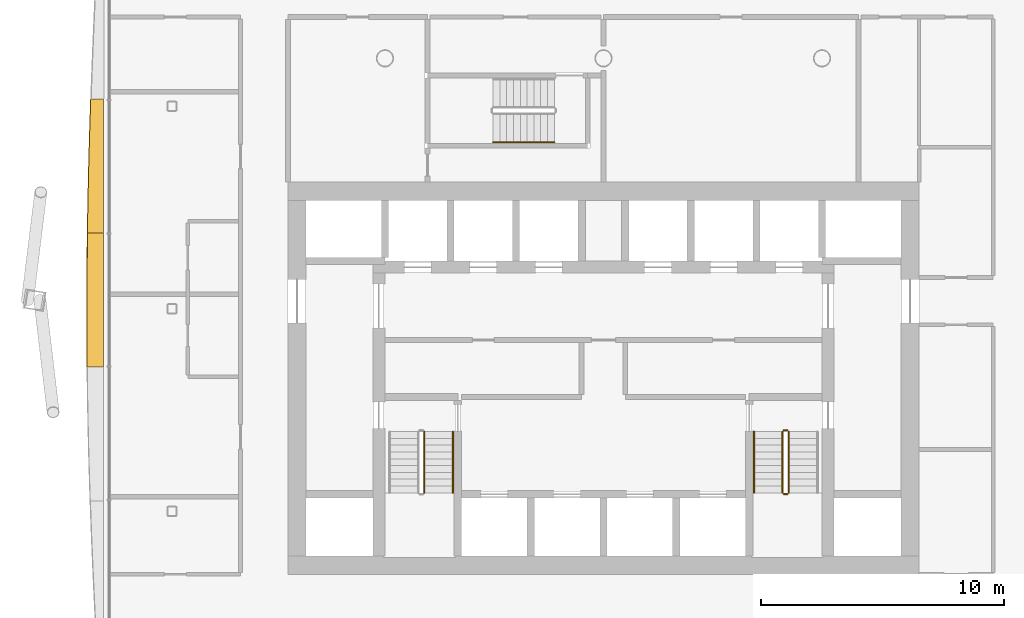
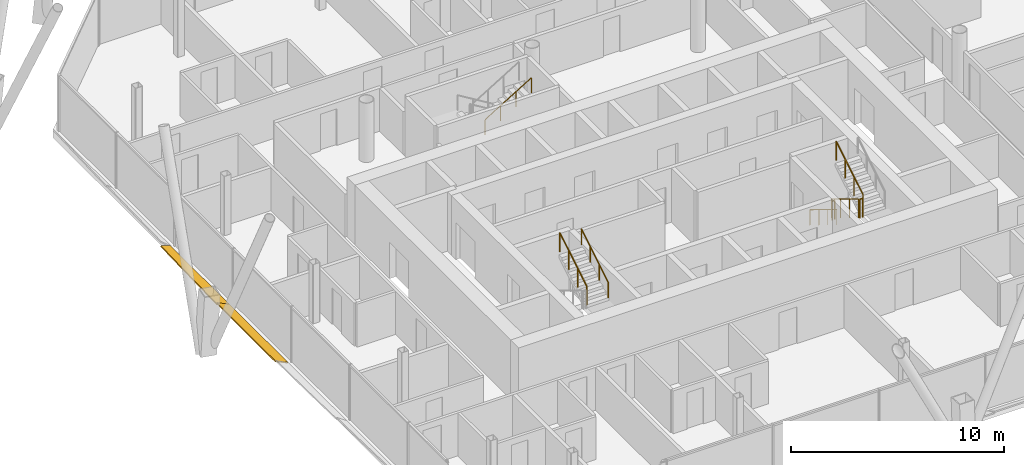
# One storey, part 19 of 22: 8 railings, 2 shading devices.
"""IFC4 building model written with IfcOpenShell, lengths in metres."""

from ifc_helpers import new_model, si_unit, direction, frame, origin, origin_2d, place, context, subcontext, project, spatial, polyline, circle, outline, extrude, material, layer, layer_set, type_object, element, save


model = new_model("IFC4")

# Units and contexts
model_context = context("Model", 3, precision=1e-05, world=origin(), true_north=direction((0.0, 1.0)))
body_context = subcontext(model_context, "Body", "Model", "MODEL_VIEW")
ifc_project = project(units=[si_unit("LENGTHUNIT", "METRE"), si_unit("AREAUNIT", "SQUARE_METRE"), si_unit("VOLUMEUNIT", "CUBIC_METRE"), si_unit("PLANEANGLEUNIT", "RADIAN"), si_unit("MASSUNIT", "GRAM", prefix="KILO")], contexts=[model_context])

# Site, building, storey
site_placement = place(None, origin())
site = spatial("IfcSite", under=ifc_project, at=site_placement, CompositionType="ELEMENT")
building_placement = place(site_placement, origin())
building = spatial("IfcBuilding", under=site, at=building_placement, Name="Tskaro Facet Tower", CompositionType="ELEMENT")
storey_placement = place(building_placement, frame((0.0, 0.0, 121.5)))
storey = spatial("IfcBuildingStorey", under=building, at=storey_placement, Name="L28", CompositionType="ELEMENT", Elevation=121.5)

# Shading devices
ifc_material_1 = material(Name="Bronze anodised aluminium 6063-T6", Category="aluminium")
ifc_layer = layer(ifc_material_1, 0.06005859375, Name="Bronze anodised aluminium 6063-T6")
ifc_layer_set = layer_set([ifc_layer], Name="Bronze anodised aluminium 6063-T6")
shading_device_type = type_object("IfcShadingDeviceType", Name="Bronze sun blade (FN1)", PredefinedType="USERDEFINED", material=ifc_layer_set)
shading_device_1_placement = place(storey_placement, frame((-20.596435546875, 7.32080078125, 0.056396484375), z_axis=(0.341941292947, 1.18777e-06, 0.93972131623), x_axis=(4.06148e-07, -0.999999999999, 1.116173e-06)))
element("IfcShadingDevice", 1, at=shading_device_1_placement, inside=storey, type_object=shading_device_type, Name="Fin blade west 3", ObjectType="FIN", PredefinedType="USERDEFINED", context=body_context, shape_type="SweptSolid", body=[
    extrude(outline(polyline([(0.0, 0.0), (5.518310546871107, 0.0), (5.518310546794855, -0.6998807844269213), (4.828369140647363, -0.6882209895251834), (4.138671875001461, -0.6747047802942332), (3.4489746093313065, -0.6591027325846004), (2.759277343810246, -0.6417277523067285), (2.0693359375407763, -0.6224963576996445), (1.379638671872054, -0.6011791246138778), (0.6899414062532679, -0.5783183831093427), (-1.1392706266802058e-10, -0.5536012272755952), (0.0, 0.0)])), origin(), (0.0, 0.0, -1.0), 0.06005859375),
])
shading_device_2_placement = place(storey_placement, frame((-20.591552734375, 1.802490234375, 0.054443359375), z_axis=(0.422529442961, 6.1548e-07, 0.906349198615), x_axis=(2.60059e-07, -1.0, 5.5784e-07)))
element("IfcShadingDevice", 2, at=shading_device_2_placement, inside=storey, type_object=shading_device_type, Name="Fin blade west 4", ObjectType="FIN", PredefinedType="USERDEFINED", context=body_context, shape_type="SweptSolid", body=[
    extrude(outline(polyline([(0.0, 0.0), (5.518066406248955, 2.921240032019302e-22), (5.518066406264926, -0.7418489984739198), (4.828369140614381, -0.7482943609346973), (4.138427734292788, -0.7520111737858651), (3.454345703197529, -0.7532057502319943), (3.44873046882253, -0.7532057502319943), (2.759033203179241, -0.7521143303881505), (2.0693359374991136, -0.7488400708566191), (1.379394531220638, -0.7431616949775818), (0.6896972656030241, -0.7356249126729606), (1.206229253812815e-11, -0.7256840140208334), (0.0, 0.0)])), origin(), (0.0, 0.0, -1.0), 0.06005859375),
])

# Railings
ifc_material_2 = material(Name="Stainless steel", Category="steel")
railing_type_1 = type_object("IfcRailingType", Name="RL-GUARD-1100", PredefinedType="GUARDRAIL", material=ifc_material_2)
railing_1_placement = place(storey_placement, frame((-7.375, -8.89501953125, 1.8701171875)))
element("IfcRailing", 3, at=railing_1_placement, inside=storey, type_object=railing_type_1, Name="L28 ST-1 stair guard 3", PredefinedType="GUARDRAIL", context=body_context, shape_type="SweptSolid", body=[
    extrude(circle(Radius=0.02392578125, at=origin_2d()), frame((0.0, 0.0, 1.076171875), z_axis=(0.0, 0.854821627497, 0.518921945155), x_axis=(-1.0, 0.0, 0.0)), (0.0, 0.0, 1.0), 2.947998046875),
    extrude(circle(Radius=0.02099609375, at=origin_2d()), origin(), (0.0, 0.0, 1.0), 1.052001953125),
    extrude(circle(Radius=0.02099609375, at=origin_2d()), frame((0.0, 0.840087890625, 0.510009765625)), (0.0, 0.0, 1.0), 1.052001953125),
    extrude(circle(Radius=0.02099609375, at=origin_2d()), frame((0.0, 1.679931640625, 1.019775390625)), (0.0, 0.0, 1.0), 1.052001953125),
    extrude(circle(Radius=0.02099609375, at=origin_2d()), frame((0.0, 2.52001953125, 1.52978515625)), (0.0, 0.0, 1.0), 1.052001953125),
])
railing_2_placement = place(storey_placement, frame((7.375, -6.375, 0.169921875)))
element("IfcRailing", 4, at=railing_2_placement, inside=storey, type_object=railing_type_1, Name="L28 ST-2 stair guard 1", PredefinedType="GUARDRAIL", context=body_context, shape_type="SweptSolid", body=[
    extrude(circle(Radius=0.02392578125, at=origin_2d()), frame((0.0, 0.0, 1.076171875), z_axis=(0.0, -0.85478489116, 0.518982456201), x_axis=(1.0, 0.0, 0.0)), (0.0, 0.0, 1.0), 2.9482421875),
    extrude(circle(Radius=0.02099609375, at=origin_2d()), origin(), (0.0, 0.0, 1.0), 1.052001953125),
    extrude(circle(Radius=0.02099609375, at=origin_2d()), frame((0.0, -0.840087890625, 0.510009765625)), (0.0, 0.0, 1.0), 1.052001953125),
    extrude(circle(Radius=0.02099609375, at=origin_2d()), frame((0.0, -1.679931640625, 1.02001953125)), (0.0, 0.0, 1.0), 1.052001953125),
    extrude(circle(Radius=0.02099609375, at=origin_2d()), frame((0.0, -2.52001953125, 1.530029296875)), (0.0, 0.0, 1.0), 1.052001953125),
])
railing_3_placement = place(storey_placement, frame((7.425048828125, -8.945068359375, 1.699951171875)))
element("IfcRailing", 5, at=railing_3_placement, inside=storey, type_object=railing_type_1, Name="L28 ST-2 stair guard 2", PredefinedType="GUARDRAIL", context=body_context, shape_type="SweptSolid", body=[
    extrude(circle(Radius=0.02392578125, at=origin_2d()), frame((0.0, 0.0, 1.076171875), z_axis=(1.0, 0.0, 0.0), x_axis=(0.0, 1.0, 0.0)), (0.0, 0.0, 1.0), 0.14990234375),
    extrude(circle(Radius=0.02099609375, at=origin_2d()), origin(), (0.0, 0.0, 1.0), 1.052001953125),
    extrude(circle(Radius=0.02099609375, at=origin_2d()), frame((0.14990234375, 0.0, 0.0)), (0.0, 0.0, 1.0), 1.052001953125),
])
railing_4_placement = place(storey_placement, frame((7.625, -8.89501953125, 1.8701171875)))
element("IfcRailing", 6, at=railing_4_placement, inside=storey, type_object=railing_type_1, Name="L28 ST-2 stair guard 3", PredefinedType="GUARDRAIL", context=body_context, shape_type="SweptSolid", body=[
    extrude(circle(Radius=0.02392578125, at=origin_2d()), frame((0.0, 0.0, 1.076171875), z_axis=(0.0, 0.854821627497, 0.518921945155), x_axis=(-1.0, 0.0, 0.0)), (0.0, 0.0, 1.0), 2.947998046875),
    extrude(circle(Radius=0.02099609375, at=origin_2d()), origin(), (0.0, 0.0, 1.0), 1.052001953125),
    extrude(circle(Radius=0.02099609375, at=origin_2d()), frame((0.0, 0.840087890625, 0.510009765625)), (0.0, 0.0, 1.0), 1.052001953125),
    extrude(circle(Radius=0.02099609375, at=origin_2d()), frame((0.0, 1.679931640625, 1.019775390625)), (0.0, 0.0, 1.0), 1.052001953125),
    extrude(circle(Radius=0.02099609375, at=origin_2d()), frame((0.0, 2.52001953125, 1.52978515625)), (0.0, 0.0, 1.0), 1.052001953125),
])
railing_5_placement = place(storey_placement, frame((7.425048828125, -6.324951171875, 0.0)))
element("IfcRailing", 7, at=railing_5_placement, inside=storey, type_object=railing_type_1, Name="L28 ST-2 stair guard 4", PredefinedType="GUARDRAIL", context=body_context, shape_type="SweptSolid", body=[
    extrude(circle(Radius=0.02392578125, at=origin_2d()), frame((0.0, 0.0, 1.076171875), z_axis=(1.0, 0.0, 0.0), x_axis=(0.0, 1.0, 0.0)), (0.0, 0.0, 1.0), 0.14990234375),
    extrude(circle(Radius=0.02099609375, at=origin_2d()), origin(), (0.0, 0.0, 1.0), 1.052001953125),
    extrude(circle(Radius=0.02099609375, at=origin_2d()), frame((0.14990234375, 0.0, 0.0)), (0.0, 0.0, 1.0), 1.052001953125),
])
railing_type_2 = type_object("IfcRailingType", Name="RL-HANDRAIL-900", PredefinedType="HANDRAIL", material=ifc_material_2)
railing_6_placement = place(storey_placement, frame((-6.199951171875, -8.89501953125, 1.8701171875)))
element("IfcRailing", 8, at=railing_6_placement, inside=storey, type_object=railing_type_2, Name="L28 ST-1 stair handrail 2", PredefinedType="HANDRAIL", context=body_context, shape_type="SweptSolid", body=[
    extrude(circle(Radius=0.02392578125, at=origin_2d()), frame((0.0, 0.0, 0.8759765625), z_axis=(0.0, 0.854821627497, 0.518921945155), x_axis=(-1.0, 0.0, 0.0)), (0.0, 0.0, 1.0), 2.947998046875),
    extrude(circle(Radius=0.02099609375, at=origin_2d()), origin(), (0.0, 0.0, 1.0), 0.851806640625),
    extrude(circle(Radius=0.02099609375, at=origin_2d()), frame((0.0, 0.840087890625, 0.510009765625)), (0.0, 0.0, 1.0), 0.851806640625),
    extrude(circle(Radius=0.02099609375, at=origin_2d()), frame((0.0, 1.679931640625, 1.019775390625)), (0.0, 0.0, 1.0), 0.851806640625),
    extrude(circle(Radius=0.02099609375, at=origin_2d()), frame((0.0, 2.52001953125, 1.52978515625)), (0.0, 0.0, 1.0), 0.851806640625),
])
railing_7_placement = place(storey_placement, frame((6.199951171875, -6.375, 0.169921875)))
element("IfcRailing", 9, at=railing_7_placement, inside=storey, type_object=railing_type_2, Name="L28 ST-2 stair handrail 1", PredefinedType="HANDRAIL", context=body_context, shape_type="SweptSolid", body=[
    extrude(circle(Radius=0.02392578125, at=origin_2d()), frame((0.0, 0.0, 0.8759765625), z_axis=(0.0, -0.85478489116, 0.518982456201), x_axis=(1.0, 0.0, 0.0)), (0.0, 0.0, 1.0), 2.9482421875),
    extrude(circle(Radius=0.02099609375, at=origin_2d()), origin(), (0.0, 0.0, 1.0), 0.851806640625),
    extrude(circle(Radius=0.02099609375, at=origin_2d()), frame((0.0, -0.840087890625, 0.510009765625)), (0.0, 0.0, 1.0), 0.851806640625),
    extrude(circle(Radius=0.02099609375, at=origin_2d()), frame((0.0, -1.679931640625, 1.02001953125)), (0.0, 0.0, 1.0), 0.851806640625),
    extrude(circle(Radius=0.02099609375, at=origin_2d()), frame((0.0, -2.52001953125, 1.530029296875)), (0.0, 0.0, 1.0), 0.851806640625),
])
railing_8_placement = place(storey_placement, frame((-4.544921875, 5.550048828125, 1.8701171875)))
element("IfcRailing", 10, at=railing_8_placement, inside=storey, type_object=railing_type_2, Name="L28 ST-3 stair handrail 2", PredefinedType="HANDRAIL", context=body_context, shape_type="SweptSolid", body=[
    extrude(circle(Radius=0.02392578125, at=origin_2d()), frame((0.0, 0.0, 0.8759765625), z_axis=(0.854821627497, 0.0, 0.518921945155), x_axis=(0.0, 1.0, 0.0)), (0.0, 0.0, 1.0), 2.947998046875),
    extrude(circle(Radius=0.02099609375, at=origin_2d()), origin(), (0.0, 0.0, 1.0), 0.851806640625),
    extrude(circle(Radius=0.02099609375, at=origin_2d()), frame((0.840087890625, 0.0, 0.510009765625)), (0.0, 0.0, 1.0), 0.851806640625),
    extrude(circle(Radius=0.02099609375, at=origin_2d()), frame((1.679931640625, 0.0, 1.019775390625)), (0.0, 0.0, 1.0), 0.851806640625),
    extrude(circle(Radius=0.02099609375, at=origin_2d()), frame((2.52001953125, 0.0, 1.52978515625)), (0.0, 0.0, 1.0), 0.851806640625),
])

save(model, "model.ifc")
